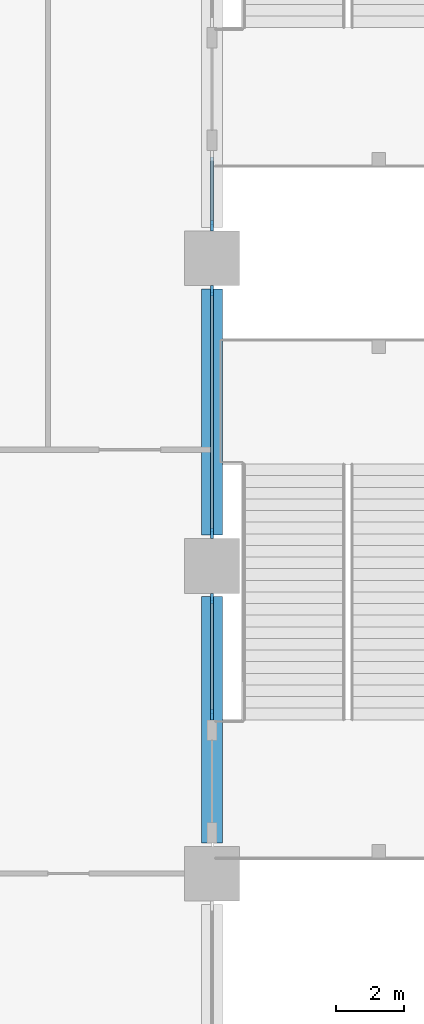
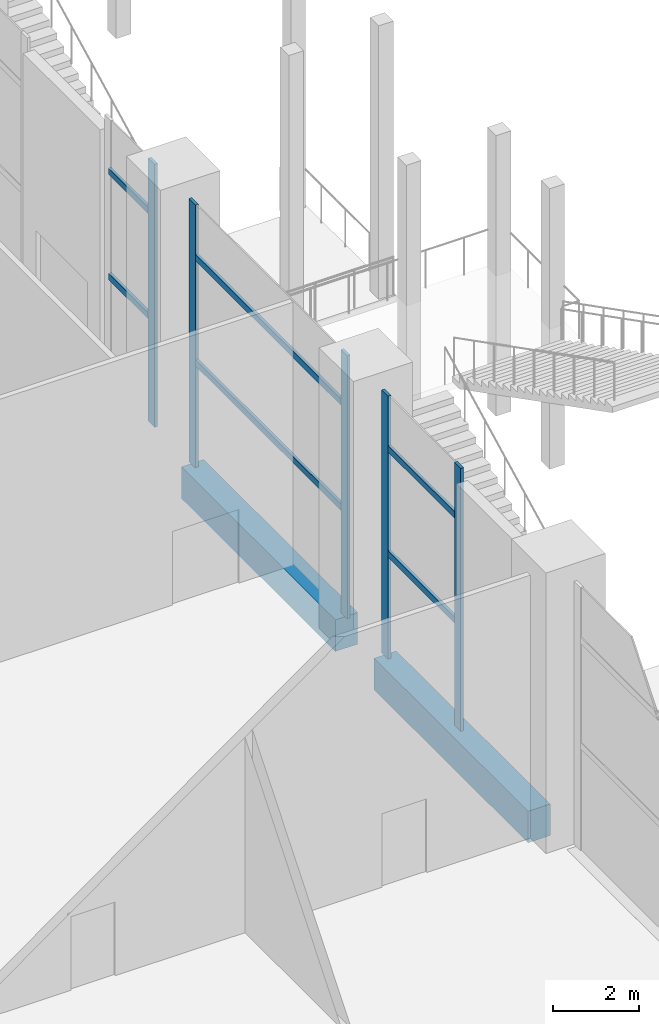
# One storey, part 9 of 52: 11 members, 2 beams, 3 elements without a shape of their own.
"""IFC4 building model written with IfcOpenShell, lengths in metres."""

from ifc_helpers import new_model, si_unit, direction, frame, origin, origin_2d, place, context, subcontext, project, spatial, rectangle, extrude, material, material_profile, profile_set, type_object, element, aggregate, save


model = new_model("IFC4")

# Units and contexts
model_context = context("Model", 3, precision=1e-05, world=origin(), true_north=direction((0.0, 1.0)))
body_context = subcontext(model_context, "Body", "Model", "MODEL_VIEW")
ifc_project = project(units=[si_unit("LENGTHUNIT", "METRE"), si_unit("AREAUNIT", "SQUARE_METRE"), si_unit("VOLUMEUNIT", "CUBIC_METRE"), si_unit("PLANEANGLEUNIT", "RADIAN"), si_unit("MASSUNIT", "GRAM", prefix="KILO")], contexts=[model_context])

# Site, building, storey
site_placement = place(None, origin())
site = spatial("IfcSite", under=ifc_project, at=site_placement, CompositionType="ELEMENT")
building_placement = place(site_placement, origin())
building = spatial("IfcBuilding", under=site, at=building_placement, Name="Candeia Pilgrim Tower and Theatre", CompositionType="ELEMENT")
storey_placement = place(building_placement, frame((0.0, 0.0, 9.0)))
storey = spatial("IfcBuildingStorey", under=building, at=storey_placement, Name="L01", CompositionType="ELEMENT", Elevation=9.0)

# Curtain wall, member
ifc_material_1 = material(Name="Aluminium framed podium glazing", Category="aluminium")
curtain_wall_type = type_object("IfcCurtainWallType", Name="CW-P curtain wall", PredefinedType="NOTDEFINED", material=ifc_material_1)
curtain_wall_1_placement = place(storey_placement, origin())
curtain_wall_1 = element("IfcCurtainWall", 1, at=curtain_wall_1_placement, inside=storey, type_object=curtain_wall_type, Name="Curtain wall CW-P L01.221", PredefinedType="NOTDEFINED")
ifc_material_2 = material(Name="Anodised aluminium", Category="aluminium")
ifc_material_profile_1 = material_profile(ifc_material_2, rectangle(XDim=0.080078125, YDim=0.300048828125, at=origin_2d()))
ifc_profile_set_1 = profile_set([ifc_material_profile_1], Name="Anodised aluminium")
member_type_1 = type_object("IfcMemberType", Name="CW-P mullion 80x300", PredefinedType="MULLION", material=ifc_profile_set_1)
member_1_placement = place(storey_placement, frame((159.60009765625, 116.949951171875, 0.0), z_axis=(0.0, 0.0, 1.0), x_axis=(1.0, 0.0, 0.0)))
member_1 = element("IfcMember", 2, at=member_1_placement, type_object=member_type_1, Name="CW-P mullion 2", PredefinedType="MULLION", context=body_context, shape_type="SweptSolid", body=[
    extrude(rectangle(XDim=0.080078125, YDim=0.300048828125, at=origin_2d()), origin(), (0.0, 0.0, 1.0), 7.5),
])

# Curtain wall, members
curtain_wall_2_placement = place(storey_placement, origin())
curtain_wall_2 = element("IfcCurtainWall", 3, at=curtain_wall_2_placement, inside=storey, type_object=curtain_wall_type, Name="Curtain wall CW-P L01.230", PredefinedType="NOTDEFINED")
member_2_placement = place(storey_placement, frame((159.60009765625, 115.050048828125, 0.0), z_axis=(0.0, 0.0, 1.0), x_axis=(1.0, 0.0, 0.0)))
member_2 = element("IfcMember", 4, at=member_2_placement, type_object=member_type_1, Name="CW-P mullion 1", PredefinedType="MULLION", context=body_context, shape_type="SweptSolid", body=[
    extrude(rectangle(XDim=0.080078125, YDim=0.300048828125, at=origin_2d()), origin(), (0.0, 0.0, 1.0), 7.5),
])
member_3_placement = place(storey_placement, frame((159.60009765625, 107.949951171875, 0.0), z_axis=(0.0, 0.0, 1.0), x_axis=(1.0, 0.0, 0.0)))
member_3 = element("IfcMember", 5, at=member_3_placement, type_object=member_type_1, Name="CW-P mullion 2", PredefinedType="MULLION", context=body_context, shape_type="SweptSolid", body=[
    extrude(rectangle(XDim=0.080078125, YDim=0.300048828125, at=origin_2d()), origin(), (0.0, 0.0, 1.0), 7.5),
])

curtain_wall_3_placement = place(storey_placement, origin())
curtain_wall_3 = element("IfcCurtainWall", 6, at=curtain_wall_3_placement, inside=storey, type_object=curtain_wall_type, Name="Curtain wall CW-P L01.240", PredefinedType="NOTDEFINED")
member_4_placement = place(storey_placement, frame((159.60009765625, 106.050048828125, 0.0), z_axis=(0.0, 0.0, 1.0), x_axis=(1.0, 0.0, 0.0)))
member_4 = element("IfcMember", 7, at=member_4_placement, type_object=member_type_1, Name="CW-P mullion 1", PredefinedType="MULLION", context=body_context, shape_type="SweptSolid", body=[
    extrude(rectangle(XDim=0.080078125, YDim=0.300048828125, at=origin_2d()), origin(), (0.0, 0.0, 1.0), 7.5),
])
member_5_placement = place(storey_placement, frame((159.60009765625, 102.64990234375, 0.0), z_axis=(0.0, 0.0, 1.0), x_axis=(1.0, 0.0, 0.0)))
member_5 = element("IfcMember", 8, at=member_5_placement, type_object=member_type_1, Name="CW-P mullion 2", PredefinedType="MULLION", context=body_context, shape_type="SweptSolid", body=[
    extrude(rectangle(XDim=0.080078125, YDim=0.300048828125, at=origin_2d()), origin(), (0.0, 0.0, 1.0), 7.5),
])

# Member
ifc_material_profile_2 = material_profile(ifc_material_2, rectangle(XDim=0.080078125, YDim=0.179931640625, at=origin_2d()))
ifc_profile_set_2 = profile_set([ifc_material_profile_2], Name="Anodised aluminium")
member_type_2 = type_object("IfcMemberType", Name="CW-P transom 80x180", PredefinedType="USERDEFINED", material=ifc_profile_set_2)
member_6_placement = place(storey_placement, frame((159.60009765625, 118.9599609375, 3.0), z_axis=(0.0, -1.0, 0.0), x_axis=(1.0, 0.0, 0.0)))
member_6 = element("IfcMember", 9, at=member_6_placement, type_object=member_type_2, Name="CW-P transom 1.1", ObjectType="TRANSOM", PredefinedType="USERDEFINED", context=body_context, shape_type="SweptSolid", body=[
    extrude(rectangle(XDim=0.080078125, YDim=0.179931640625, at=origin_2d()), origin(), (0.0, 0.0, 1.0), 1.969970703125),
])

member_7_placement = place(storey_placement, frame((159.60009765625, 118.9599609375, 6.0), z_axis=(0.0, -1.0, 0.0), x_axis=(1.0, 0.0, 0.0)))
member_7 = element("IfcMember", 10, at=member_7_placement, type_object=member_type_2, Name="CW-P transom 1.2", ObjectType="TRANSOM", PredefinedType="USERDEFINED", context=body_context, shape_type="SweptSolid", body=[
    extrude(rectangle(XDim=0.080078125, YDim=0.179931640625, at=origin_2d()), origin(), (0.0, 0.0, 1.0), 1.969970703125),
])

aggregate(curtain_wall_1, [member_1, member_6, member_7])

member_8_placement = place(storey_placement, frame((159.60009765625, 115.010009765625, 3.0), z_axis=(0.0, -1.0, 0.0), x_axis=(1.0, 0.0, 0.0)))
member_8 = element("IfcMember", 11, at=member_8_placement, type_object=member_type_2, Name="CW-P transom 1.1", ObjectType="TRANSOM", PredefinedType="USERDEFINED", context=body_context, shape_type="SweptSolid", body=[
    extrude(rectangle(XDim=0.080078125, YDim=0.179931640625, at=origin_2d()), origin(), (0.0, 0.0, 1.0), 7.02001953125),
])

member_9_placement = place(storey_placement, frame((159.60009765625, 115.010009765625, 6.0), z_axis=(0.0, -1.0, 0.0), x_axis=(1.0, 0.0, 0.0)))
member_9 = element("IfcMember", 12, at=member_9_placement, type_object=member_type_2, Name="CW-P transom 1.2", ObjectType="TRANSOM", PredefinedType="USERDEFINED", context=body_context, shape_type="SweptSolid", body=[
    extrude(rectangle(XDim=0.080078125, YDim=0.179931640625, at=origin_2d()), origin(), (0.0, 0.0, 1.0), 7.02001953125),
])

aggregate(curtain_wall_2, [member_2, member_3, member_8, member_9])

member_10_placement = place(storey_placement, frame((159.60009765625, 106.010009765625, 3.0), z_axis=(0.0, -1.0, 0.0), x_axis=(1.0, 0.0, 0.0)))
member_10 = element("IfcMember", 13, at=member_10_placement, type_object=member_type_2, Name="CW-P transom 1.1", ObjectType="TRANSOM", PredefinedType="USERDEFINED", context=body_context, shape_type="SweptSolid", body=[
    extrude(rectangle(XDim=0.080078125, YDim=0.179931640625, at=origin_2d()), origin(), (0.0, 0.0, 1.0), 3.320068359375),
])

member_11_placement = place(storey_placement, frame((159.60009765625, 106.010009765625, 6.0), z_axis=(0.0, -1.0, 0.0), x_axis=(1.0, 0.0, 0.0)))
member_11 = element("IfcMember", 14, at=member_11_placement, type_object=member_type_2, Name="CW-P transom 1.2", ObjectType="TRANSOM", PredefinedType="USERDEFINED", context=body_context, shape_type="SweptSolid", body=[
    extrude(rectangle(XDim=0.080078125, YDim=0.179931640625, at=origin_2d()), origin(), (0.0, 0.0, 1.0), 3.320068359375),
])

aggregate(curtain_wall_3, [member_4, member_5, member_10, member_11])

# Beams
ifc_material_3 = material(Name="Concrete C80/95", Category="concrete")
ifc_material_profile_3 = material_profile(ifc_material_3, rectangle(XDim=0.60009765625, YDim=0.89990234375, at=origin_2d()))
ifc_profile_set_3 = profile_set([ifc_material_profile_3], Name="Concrete C80/95")
beam_type = type_object("IfcBeamType", Name="RC 600x900 C80/95", PredefinedType="BEAM", material=ifc_profile_set_3)
for number, where, z_axis, x_axis, name in (
    (15, (159.60009765625, 98.89990234375, -0.449951171875), (0.0, 1.0, 0.0), (-1.0, 0.0, 0.0), "Spandrel beam L01-03"),
    (16, (159.60009765625, 107.89990234375, -0.449951171875), (0.0, 1.0, 0.0), (-1.0, 0.0, 0.0), "Spandrel beam L01-04"),
):
    element("IfcBeam", number, at=place(storey_placement, frame(where, z_axis=z_axis, x_axis=x_axis)), inside=storey, type_object=beam_type, Name=name, PredefinedType="BEAM", context=body_context, shape_type="SweptSolid", body=[
        extrude(rectangle(XDim=0.60009765625, YDim=0.89990234375, at=origin_2d()), origin(), (0.0, 0.0, 1.0), 7.2001953125),
    ])

save(model, "model.ifc")
